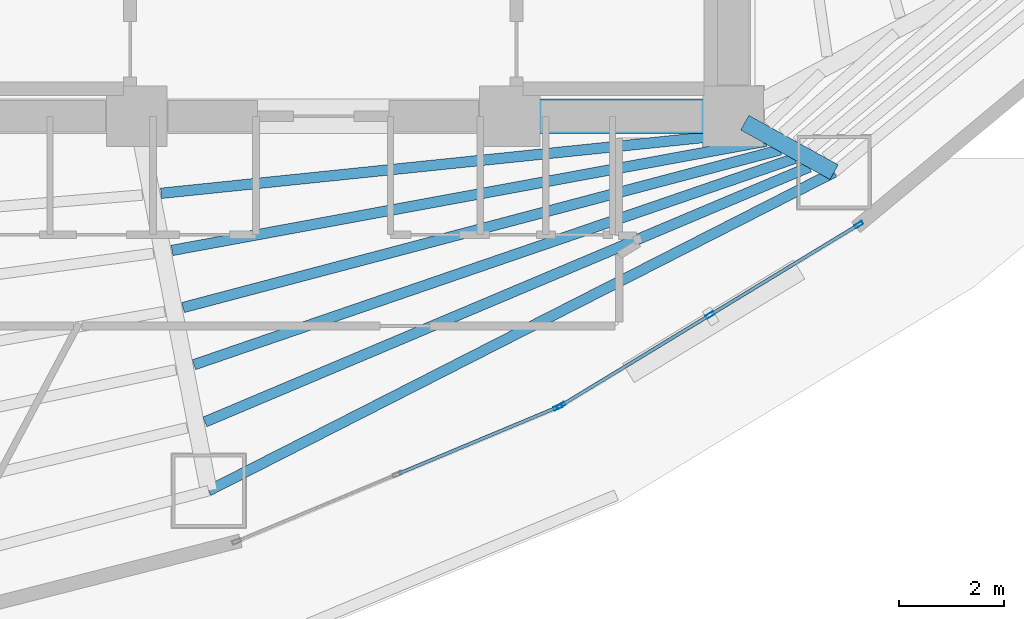
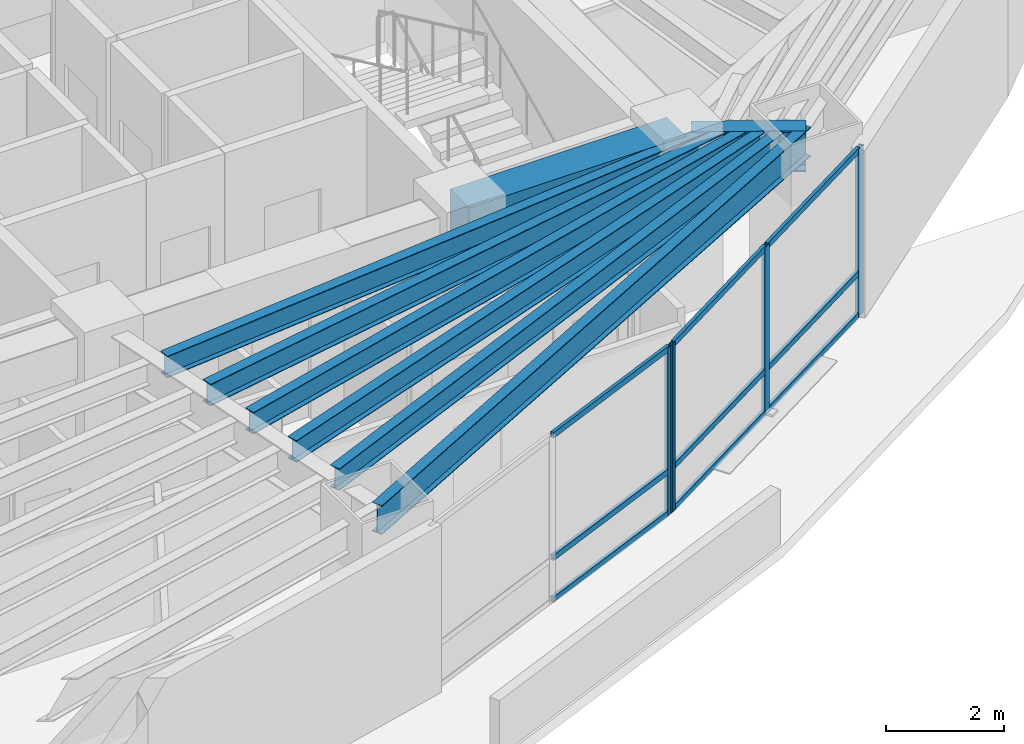
# One storey, part 5 of 17: 13 members, 8 beams, 2 elements without a shape of their own.
"""IFC4 building model written with IfcOpenShell, lengths in metres."""

import ifcopenshell
import ifcopenshell.guid

model = None  # the IFC model being written
_history = None  # IfcOwnerHistory: only IFC2X3 demands one
_inside = {}  # id of a spatial element -> (the spatial element, [elements in it])
_under = {}  # id of a project, library or spatial element -> (it, [spatial elements below it])
_declared = {}  # id of a project -> (the project, [libraries it declares])
_typed = {}  # id of a type object -> (the type object, [elements of that type])
_made_of = {}  # id of a material, layer set ... -> (it, [elements and type objects made of it])


def new_model(schema):
    """Start an empty IFC model of exactly this schema.

    Asked for "IFC4X3", IfcOpenShell would pick the latest addendum, in which some entities
    have other attributes; the version numbers below select the first issue.
    IFC2X3 requires an IfcOwnerHistory on every rooted entity: one is made here for all.
    """
    global model, _history
    if schema == "IFC4X3":
        model = ifcopenshell.file(schema_version=(4, 3, 0, 0))
    else:
        model = ifcopenshell.file(schema=schema)
    _inside.clear()
    _under.clear()
    _declared.clear()
    _typed.clear()
    _made_of.clear()
    _history = None
    if model.schema == "IFC2X3":
        org = make("IfcOrganization", Name="unknown")
        user = make(
            "IfcPersonAndOrganization",
            ThePerson=make("IfcPerson", FamilyName="unknown"),
            TheOrganization=org,
        )
        app = make(
            "IfcApplication",
            ApplicationDeveloper=org,
            Version="unknown",
            ApplicationFullName="unknown",
            ApplicationIdentifier="unknown",
        )
        _history = make(
            "IfcOwnerHistory",
            OwningUser=user,
            OwningApplication=app,
            ChangeAction="ADDED",
            CreationDate=0,
        )
    return model


def make(cls, **values):
    """One entity of the class cls with the attributes given. An attribute that is None is left unset."""
    return model.create_entity(
        cls, **{name: value for name, value in values.items() if value is not None}
    )


def rooted(cls, **values):
    """An entity with a GlobalId (a new one), such as an element, a storey or a relation."""
    return make(cls, GlobalId=ifcopenshell.guid.new(), OwnerHistory=_history, **values)


def si_unit(unit_type, name, prefix=None):
    """IfcSIUnit, for example si_unit("LENGTHUNIT", "METRE", prefix="MILLI")."""
    return make("IfcSIUnit", UnitType=unit_type, Prefix=prefix, Name=name)


def assignment(units):
    """IfcUnitAssignment: the units of a project."""
    return None if units is None else make("IfcUnitAssignment", Units=units)


def point(xyz):
    """IfcCartesianPoint."""
    return None if xyz is None else make("IfcCartesianPoint", Coordinates=xyz)


def direction(xyz):
    """IfcDirection."""
    return None if xyz is None else make("IfcDirection", DirectionRatios=xyz)


def frame(location, z_axis=None, x_axis=None):
    """IfcAxis2Placement3D, a coordinate frame: its origin and axes. An axis left out is left unset."""
    return make(
        "IfcAxis2Placement3D",
        Location=point(location),
        Axis=direction(z_axis),
        RefDirection=direction(x_axis),
    )


def frame_2d(location, x_axis=None):
    """IfcAxis2Placement2D, a coordinate frame in the plane: its origin and x axis."""
    return make(
        "IfcAxis2Placement2D", Location=point(location), RefDirection=direction(x_axis)
    )


def origin():
    """The frame at (0, 0, 0) with its axes left unset."""
    return frame((0.0, 0.0, 0.0))


def origin_2d():
    """The frame at (0, 0) in the plane with its x axis left unset."""
    return frame_2d((0.0, 0.0))


def place(relative_to, where):
    """IfcLocalPlacement: puts the frame where relative to a parent placement (None: the world)."""
    return make(
        "IfcLocalPlacement", PlacementRelTo=relative_to, RelativePlacement=where
    )


def context(
    kind, dimensions, precision=None, world=None, true_north=None, identifier=None
):
    """IfcGeometricRepresentationContext, for example the 3D "Model" context."""
    return make(
        "IfcGeometricRepresentationContext",
        ContextIdentifier=identifier,
        ContextType=kind,
        CoordinateSpaceDimension=dimensions,
        Precision=precision,
        WorldCoordinateSystem=world,
        TrueNorth=true_north,
    )


def subcontext(parent, identifier, kind, view, scale=None):
    """IfcGeometricRepresentationSubContext, for example "Body" below "Model"."""
    return make(
        "IfcGeometricRepresentationSubContext",
        ContextIdentifier=identifier,
        ContextType=kind,
        ParentContext=parent,
        TargetScale=scale,
        TargetView=view,
    )


def project(units=None, contexts=None):
    """IfcProject with its units and contexts."""
    return rooted(
        "IfcProject",
        Name="project",
        RepresentationContexts=contexts,
        UnitsInContext=assignment(units),
    )


def spatial(cls, under=None, at=None, **own):
    """A site, building, storey or space (cls), placed at a placement, below another one or the project."""
    s = rooted(cls, ObjectPlacement=at, **own)
    if under is not None:
        _under.setdefault(under.id(), (under, []))[1].append(s)
    return s


def profile(cls, at=None, kind="AREA", **sizes):
    """A parametric profile (cls). Its sizes go by their IFC names, for example OverallWidth=200.0."""
    return make(cls, ProfileType=kind, Position=at, **sizes)


def rectangle(**sizes):
    """IfcRectangleProfileDef."""
    return profile("IfcRectangleProfileDef", **sizes)


def hollow_rectangle(**sizes):
    """IfcRectangleHollowProfileDef."""
    return profile("IfcRectangleHollowProfileDef", **sizes)


def i_section(**sizes):
    """IfcIShapeProfileDef."""
    return profile("IfcIShapeProfileDef", **sizes)


def extrude(swept, where, along, depth):
    """IfcExtrudedAreaSolid: the profile swept, set in the frame where, extruded along a direction by depth."""
    return make(
        "IfcExtrudedAreaSolid",
        SweptArea=swept,
        Position=where,
        ExtrudedDirection=direction(along),
        Depth=depth,
    )


def shape(context_of_items, identifier, shape_type, items):
    """IfcShapeRepresentation: the items that make up one representation, for example the "Body"."""
    return make(
        "IfcShapeRepresentation",
        ContextOfItems=context_of_items,
        RepresentationIdentifier=identifier,
        RepresentationType=shape_type,
        Items=items,
    )


def material(Name=None, Category=None):
    """IfcMaterial."""
    return make("IfcMaterial", Name=Name, Category=Category)


def layer(
    of_material, thickness, ventilated=None, Name=None, Category=None, Priority=None
):
    """IfcMaterialLayer: one layer of a wall or slab, of a material (None: an air gap)."""
    return make(
        "IfcMaterialLayer",
        Material=of_material,
        LayerThickness=thickness,
        IsVentilated=ventilated,
        Name=Name,
        Category=Category,
        Priority=Priority,
    )


def layer_set(layers, Name=None):
    """IfcMaterialLayerSet."""
    return make("IfcMaterialLayerSet", MaterialLayers=layers, LayerSetName=Name)


def material_profile(
    of_material, cross_section, Name=None, Category=None, Priority=None
):
    """IfcMaterialProfile: a cross section and its material."""
    return make(
        "IfcMaterialProfile",
        Name=Name,
        Material=of_material,
        Profile=cross_section,
        Priority=Priority,
        Category=Category,
    )


def profile_set(profiles, Name=None, composite=None):
    """IfcMaterialProfileSet."""
    return make(
        "IfcMaterialProfileSet",
        Name=Name,
        MaterialProfiles=profiles,
        CompositeProfile=composite,
    )


def made_of(thing, what):
    """Note that an element or type object is made of a material, layer set ...; save() writes the relation."""
    if what is not None:
        _made_of.setdefault(what.id(), (what, []))[1].append(thing)
    return thing


def type_object(cls, material=None, **own):
    """A type object (cls), such as IfcWallType, which elements share."""
    return made_of(rooted(cls, **own), material)


def element(
    cls,
    number,
    at=None,
    inside=None,
    cuts=None,
    type_object=None,
    material=None,
    context=None,
    identifier="Body",
    shape_type=None,
    held_by="IfcProductDefinitionShape",
    body=None,
    shapes=None,
    **own,
):
    """One element of the class cls, such as IfcWall. Its Tag is "e" and its number.

    at: its placement. inside: the storey or other place that contains it. cuts: it is an
    opening in that element (IfcRelVoidsElement). A single representation is given by context,
    identifier, shape_type and body (its items); several are given by shapes. held_by: the class
    of the entity that holds the representations. save() writes the other relations.
    """
    e = rooted(cls, Tag="e%d" % number, ObjectPlacement=at, **own)
    if body is not None:
        shapes = [shape(context, identifier, shape_type, body)]
    if shapes is not None:
        e.Representation = make(held_by, Representations=shapes)
    if inside is not None:
        _inside.setdefault(inside.id(), (inside, []))[1].append(e)
    if cuts is not None:
        rooted(
            "IfcRelVoidsElement", RelatingBuildingElement=cuts, RelatedOpeningElement=e
        )
    if type_object is not None:
        _typed.setdefault(type_object.id(), (type_object, []))[1].append(e)
    return made_of(e, material)


def aggregate(whole, parts):
    """IfcRelAggregates: a whole, such as a stair, and the parts it consists of."""
    return rooted("IfcRelAggregates", RelatingObject=whole, RelatedObjects=parts)


def save(model, path):
    """Write the relations noted so far, then the file.

    IfcRelAggregates (storeys below a building ...), IfcRelContainedInSpatialStructure (elements
    in a storey), IfcRelDefinesByType, IfcRelAssociatesMaterial and IfcRelDeclares: one each for
    every whole, place, type object, material and project.
    """
    for whole, parts in _under.values():
        aggregate(whole, parts)
    for where, things in _inside.values():
        rooted(
            "IfcRelContainedInSpatialStructure",
            RelatedElements=things,
            RelatingStructure=where,
        )
    for kind, things in _typed.values():
        rooted("IfcRelDefinesByType", RelatedObjects=things, RelatingType=kind)
    for what, things in _made_of.values():
        rooted("IfcRelAssociatesMaterial", RelatedObjects=things, RelatingMaterial=what)
    for by, libraries in _declared.values():
        rooted("IfcRelDeclares", RelatingContext=by, RelatedDefinitions=libraries)
    model.write(path)


model = new_model("IFC4")

# Units and contexts
model_context = context("Model", 3, precision=1e-05, world=origin(), true_north=direction((0.0, 1.0)))
body_context = subcontext(model_context, "Body", "Model", "MODEL_VIEW")
ifc_project = project(units=[si_unit("LENGTHUNIT", "METRE"), si_unit("AREAUNIT", "SQUARE_METRE"), si_unit("VOLUMEUNIT", "CUBIC_METRE"), si_unit("PLANEANGLEUNIT", "RADIAN"), si_unit("MASSUNIT", "GRAM", prefix="KILO")], contexts=[model_context])

# Site, building, storey
site_placement = place(None, origin())
site = spatial("IfcSite", under=ifc_project, at=site_placement, CompositionType="ELEMENT")
building_placement = place(site_placement, origin())
building = spatial("IfcBuilding", under=site, at=building_placement, Name="Menara Vayukalpa", CompositionType="ELEMENT")
storey_placement = place(building_placement, frame((0.0, 0.0, 27.60009765625)))
storey = spatial("IfcBuildingStorey", under=building, at=storey_placement, Name="L05", CompositionType="ELEMENT", Elevation=27.60009765625)

# Beams
ifc_material_1 = material(Name="Concrete C60/75", Category="concrete")
ifc_material_profile_1 = material_profile(ifc_material_1, rectangle(XDim=0.64990234375, YDim=0.85009765625, at=origin_2d()), Name="RC 650x850")
ifc_profile_set_1 = profile_set([ifc_material_profile_1], Name="Concrete C60/75")
beam_type_1 = type_object("IfcBeamType", Name="BM-CB1", PredefinedType="BEAM", material=ifc_profile_set_1)
beam_1_placement = place(storey_placement, frame((29.14990234375, 17.199951171875, 3.044921875), z_axis=(1.0, 0.0, 0.0), x_axis=(0.0, 1.0, 0.0)))
element("IfcBeam", 1, at=beam_1_placement, inside=storey, type_object=beam_type_1, Name="L05 Core Tie Beam CBR3", PredefinedType="BEAM", context=body_context, shape_type="SweptSolid", body=[
    extrude(rectangle(XDim=0.64990234375, YDim=0.85009765625, at=origin_2d()), origin(), (0.0, 0.0, 1.0), 4.25),
])
ifc_material_2 = material(Name="Steel S355", Category="steel")
ifc_material_profile_2 = material_profile(ifc_material_2, i_section(OverallWidth=0.320068359375, OverallDepth=0.85009765625, WebThickness=0.01611328125, FlangeThickness=0.030029296875, at=origin_2d()), Name="WF 850x320x16x30")
ifc_profile_set_2 = profile_set([ifc_material_profile_2], Name="Steel S355")
beam_type_2 = type_object("IfcBeamType", Name="BM-PG2", PredefinedType="BEAM", material=ifc_profile_set_2)
beam_2_placement = place(storey_placement, frame((33.61865234375, 17.078857421875, 3.044921875), z_axis=(0.87459548214, -0.484853320727, 0.0), x_axis=(0.484853320727, 0.87459548214, 0.0)))
element("IfcBeam", 2, at=beam_2_placement, inside=storey, type_object=beam_type_2, Name="L05 Primary Radial Girder RG09", PredefinedType="BEAM", context=body_context, shape_type="SweptSolid", body=[
    extrude(i_section(OverallWidth=0.320068359375, OverallDepth=0.85009765625, WebThickness=0.01611328125, FlangeThickness=0.030029296875, at=origin_2d()), origin(), (0.0, 0.0, 1.0), 1.943115234375),
])
ifc_material_3 = material(Name="Steel S355", Category="steel")
ifc_material_profile_3 = material_profile(ifc_material_3, i_section(OverallWidth=0.199951171875, OverallDepth=0.449951171875, WebThickness=0.009033203125, FlangeThickness=0.013916015625, at=origin_2d()), Name="WF 450x200x9x14")
ifc_profile_set_3 = profile_set([ifc_material_profile_3], Name="Steel S355")
beam_type_3 = type_object("IfcBeamType", Name="BM-SJ1", PredefinedType="JOIST", material=ifc_profile_set_3)
beam_3_placement = place(storey_placement, frame((22.514404296875, 15.735107421875, 3.244873046875), z_axis=(0.994746828953, 0.102365747631, 0.0), x_axis=(-0.102365747631, 0.994746828953, 0.0)))
element("IfcBeam", 3, at=beam_3_placement, inside=storey, type_object=beam_type_3, Name="L05 Secondary Floor Joist SJ08-1", PredefinedType="JOIST", context=body_context, shape_type="SweptSolid", body=[
    extrude(i_section(OverallWidth=0.199951171875, OverallDepth=0.449951171875, WebThickness=0.009033203125, FlangeThickness=0.013916015625, at=origin_2d()), origin(), (0.0, 0.0, 1.0), 11.29052734375),
])
beam_4_placement = place(storey_placement, frame((22.723876953125, 14.648681640625, 3.244873046875), z_axis=(0.983504975359, 0.180881075419, 0.0), x_axis=(-0.180881075419, 0.983504975359, 0.0)))
element("IfcBeam", 4, at=beam_4_placement, inside=storey, type_object=beam_type_3, Name="L05 Secondary Floor Joist SJ08-2", PredefinedType="JOIST", context=body_context, shape_type="SweptSolid", body=[
    extrude(i_section(OverallWidth=0.199951171875, OverallDepth=0.449951171875, WebThickness=0.009033203125, FlangeThickness=0.013916015625, at=origin_2d()), origin(), (0.0, 0.0, 1.0), 11.48486328125),
])
beam_5_placement = place(storey_placement, frame((22.932373046875, 13.561767578125, 3.244873046875), z_axis=(0.966863757537, 0.255292918746, 0.0), x_axis=(-0.255292918746, 0.966863757537, 0.0)))
element("IfcBeam", 5, at=beam_5_placement, inside=storey, type_object=beam_type_3, Name="L05 Secondary Floor Joist SJ08-3", PredefinedType="JOIST", context=body_context, shape_type="SweptSolid", body=[
    extrude(i_section(OverallWidth=0.199951171875, OverallDepth=0.449951171875, WebThickness=0.009033203125, FlangeThickness=0.013916015625, at=origin_2d()), origin(), (0.0, 0.0, 1.0), 11.751220703125),
])
beam_6_placement = place(storey_placement, frame((23.14013671875, 12.473876953125, 3.244873046875), z_axis=(0.945794261669, 0.324766400038, 0.0), x_axis=(-0.324766400038, 0.945794261669, 0.0)))
element("IfcBeam", 6, at=beam_6_placement, inside=storey, type_object=beam_type_3, Name="L05 Secondary Floor Joist SJ08-4", PredefinedType="JOIST", context=body_context, shape_type="SweptSolid", body=[
    extrude(i_section(OverallWidth=0.199951171875, OverallDepth=0.449951171875, WebThickness=0.009033203125, FlangeThickness=0.013916015625, at=origin_2d()), origin(), (0.0, 0.0, 1.0), 12.0849609375),
])
beam_7_placement = place(storey_placement, frame((23.34716796875, 11.385009765625, 3.244873046875), z_axis=(0.921359344435, 0.38871192215, 0.0), x_axis=(-0.38871192215, 0.921359344435, 0.0)))
element("IfcBeam", 7, at=beam_7_placement, inside=storey, type_object=beam_type_3, Name="L05 Secondary Floor Joist SJ08-5", PredefinedType="JOIST", context=body_context, shape_type="SweptSolid", body=[
    extrude(i_section(OverallWidth=0.199951171875, OverallDepth=0.449951171875, WebThickness=0.009033203125, FlangeThickness=0.013916015625, at=origin_2d()), origin(), (0.0, 0.0, 1.0), 12.48046875),
])
ifc_material_4 = material(Name="Steel S355", Category="steel")
ifc_material_profile_4 = material_profile(ifc_material_4, i_section(OverallWidth=0.199951171875, OverallDepth=0.60009765625, WebThickness=0.010986328125, FlangeThickness=0.01708984375, at=origin_2d()), Name="WF 600x200x11x17")
ifc_profile_set_4 = profile_set([ifc_material_profile_4], Name="Steel S355")
beam_type_4 = type_object("IfcBeamType", Name="BM-SP1", PredefinedType="SPANDREL", material=ifc_profile_set_4)
beam_8_placement = place(storey_placement, frame((23.41943359375, 10.0771484375, 3.169921875), z_axis=(0.891100743313, 0.453805536841, 0.0), x_axis=(-0.453805536841, 0.891100743313, 0.0)))
element("IfcBeam", 8, at=beam_8_placement, inside=storey, type_object=beam_type_4, Name="L05 Perimeter Spandrel Beam SP08", PredefinedType="SPANDREL", context=body_context, shape_type="SweptSolid", body=[
    extrude(i_section(OverallWidth=0.199951171875, OverallDepth=0.60009765625, WebThickness=0.010986328125, FlangeThickness=0.01708984375, at=origin_2d()), origin(), (0.0, 0.0, 1.0), 13.352783203125),
])

# Curtain wall, member
ifc_material_5 = material(Name="Anodised Terracotta Aluminium Alloy 6063-T6", Category="masonry")
ifc_layer = layer(ifc_material_5, 0.1650390625)
ifc_layer_set = layer_set([ifc_layer], Name="Anodised Terracotta Aluminium Alloy 6063-T6")
curtain_wall_type = type_object("IfcCurtainWallType", Name="CW-CW2", PredefinedType="USERDEFINED", material=ifc_layer_set)
curtain_wall_1_placement = place(storey_placement, origin())
curtain_wall_1 = element("IfcCurtainWall", 9, at=curtain_wall_1_placement, inside=storey, type_object=curtain_wall_type, Name="L05 Low Rise Terracotta Ribbon Curtain Wall CW2 16", ObjectType="UNITISED", PredefinedType="USERDEFINED")
ifc_material_6 = material(Name="Anodised Terracotta Aluminium Alloy 6063-T6", Category="masonry")
ifc_material_profile_5 = material_profile(ifc_material_6, hollow_rectangle(XDim=0.070068359375, YDim=0.1650390625, WallThickness=0.00390625, at=origin_2d()), Name="ALU 70x165x4")
ifc_profile_set_5 = profile_set([ifc_material_profile_5], Name="Anodised Terracotta Aluminium Alloy 6063-T6")
member_type_1 = type_object("IfcMemberType", Name="CWM-CW2", PredefinedType="MULLION", material=ifc_profile_set_5)
member_1_placement = place(storey_placement, frame((30.062744140625, 11.6669921875, 0.0), z_axis=(0.0, 0.0, 1.0), x_axis=(-0.385895120445, 0.922542658101, 0.0)))
member_1 = element("IfcMember", 10, at=member_1_placement, type_object=member_type_1, Name="CW2 mullion 3", PredefinedType="MULLION", context=body_context, shape_type="SweptSolid", body=[
    extrude(hollow_rectangle(XDim=0.070068359375, YDim=0.1650390625, WallThickness=0.00390625, at=origin_2d()), origin(), (0.0, 0.0, 1.0), 3.469970703125),
])

# Curtain wall, members
curtain_wall_2_placement = place(storey_placement, origin())
curtain_wall_2 = element("IfcCurtainWall", 11, at=curtain_wall_2_placement, inside=storey, type_object=curtain_wall_type, Name="L05 Low Rise Terracotta Ribbon Curtain Wall CW2 17", ObjectType="UNITISED", PredefinedType="USERDEFINED")
member_2_placement = place(storey_placement, frame((30.125, 11.69873046875, 0.0), z_axis=(0.0, 0.0, 1.0), x_axis=(-0.519181964377, 0.854663727945, 0.0)))
member_2 = element("IfcMember", 12, at=member_2_placement, type_object=member_type_1, Name="CW2 mullion 1", PredefinedType="MULLION", context=body_context, shape_type="SweptSolid", body=[
    extrude(hollow_rectangle(XDim=0.070068359375, YDim=0.1650390625, WallThickness=0.00390625, at=origin_2d()), origin(), (0.0, 0.0, 1.0), 3.469970703125),
])
member_3_placement = place(storey_placement, frame((32.9560546875, 13.418701171875, 0.0), z_axis=(0.0, 0.0, 1.0), x_axis=(-0.519181964377, 0.854663727945, 0.0)))
member_3 = element("IfcMember", 13, at=member_3_placement, type_object=member_type_1, Name="CW2 mullion 2", PredefinedType="MULLION", context=body_context, shape_type="SweptSolid", body=[
    extrude(hollow_rectangle(XDim=0.070068359375, YDim=0.1650390625, WallThickness=0.00390625, at=origin_2d()), origin(), (0.0, 0.0, 1.0), 3.469970703125),
])
member_4_placement = place(storey_placement, frame((35.787353515625, 15.138427734375, 0.0), z_axis=(0.0, 0.0, 1.0), x_axis=(-0.519181964377, 0.854663727945, 0.0)))
member_4 = element("IfcMember", 14, at=member_4_placement, type_object=member_type_1, Name="CW2 mullion 3", PredefinedType="MULLION", context=body_context, shape_type="SweptSolid", body=[
    extrude(hollow_rectangle(XDim=0.070068359375, YDim=0.1650390625, WallThickness=0.00390625, at=origin_2d()), origin(), (0.0, 0.0, 1.0), 3.469970703125),
])

# Member
ifc_material_7 = material(Name="Anodised Terracotta Aluminium Alloy 6063-T6", Category="masonry")
ifc_material_profile_6 = material_profile(ifc_material_7, hollow_rectangle(XDim=0.06494140625, YDim=0.1201171875, WallThickness=0.00341796875, at=origin_2d()), Name="ALU 65x120x3.5")
ifc_profile_set_6 = profile_set([ifc_material_profile_6], Name="Anodised Terracotta Aluminium Alloy 6063-T6")
member_type_2 = type_object("IfcMemberType", Name="CWT-CW2", PredefinedType="USERDEFINED", material=ifc_profile_set_6)
member_5_placement = place(storey_placement, frame((27.0390625, 10.40234375, 0.032470703125), z_axis=(0.922552588381, 0.385871379699, 0.0), x_axis=(-0.385871379699, 0.922552588381, 0.0)))
member_5 = element("IfcMember", 15, at=member_5_placement, type_object=member_type_2, Name="CW2 transom 2.1", ObjectType="TRANSOM", PredefinedType="USERDEFINED", context=body_context, shape_type="SweptSolid", body=[
    extrude(hollow_rectangle(XDim=0.06494140625, YDim=0.1201171875, WallThickness=0.00341796875, at=origin_2d()), origin(), (0.0, 0.0, 1.0), 3.24267578125),
])

member_6_placement = place(storey_placement, frame((27.0390625, 10.40234375, 0.89990234375), z_axis=(0.922552588381, 0.385871379699, 0.0), x_axis=(-0.385871379699, 0.922552588381, 0.0)))
member_6 = element("IfcMember", 16, at=member_6_placement, type_object=member_type_2, Name="CW2 transom 2.2", ObjectType="TRANSOM", PredefinedType="USERDEFINED", context=body_context, shape_type="SweptSolid", body=[
    extrude(hollow_rectangle(XDim=0.06494140625, YDim=0.1201171875, WallThickness=0.00341796875, at=origin_2d()), origin(), (0.0, 0.0, 1.0), 3.24267578125),
])

member_7_placement = place(storey_placement, frame((27.0390625, 10.40234375, 3.4375), z_axis=(0.922552588381, 0.385871379699, 0.0), x_axis=(-0.385871379699, 0.922552588381, 0.0)))
member_7 = element("IfcMember", 17, at=member_7_placement, type_object=member_type_2, Name="CW2 transom 2.3", ObjectType="TRANSOM", PredefinedType="USERDEFINED", context=body_context, shape_type="SweptSolid", body=[
    extrude(hollow_rectangle(XDim=0.06494140625, YDim=0.1201171875, WallThickness=0.00341796875, at=origin_2d()), origin(), (0.0, 0.0, 1.0), 3.24267578125),
])

aggregate(curtain_wall_1, [member_1, member_5, member_6, member_7])

member_8_placement = place(storey_placement, frame((30.155029296875, 11.717041015625, 0.032470703125), z_axis=(0.854676552714, 0.519160851992, 0.0), x_axis=(-0.519160851992, 0.854676552714, 0.0)))
member_8 = element("IfcMember", 18, at=member_8_placement, type_object=member_type_2, Name="CW2 transom 1.1", ObjectType="TRANSOM", PredefinedType="USERDEFINED", context=body_context, shape_type="SweptSolid", body=[
    extrude(hollow_rectangle(XDim=0.06494140625, YDim=0.1201171875, WallThickness=0.00341796875, at=origin_2d()), origin(), (0.0, 0.0, 1.0), 3.242431640625),
])

member_9_placement = place(storey_placement, frame((30.155029296875, 11.717041015625, 0.89990234375), z_axis=(0.854676552714, 0.519160851992, 0.0), x_axis=(-0.519160851992, 0.854676552714, 0.0)))
member_9 = element("IfcMember", 19, at=member_9_placement, type_object=member_type_2, Name="CW2 transom 1.2", ObjectType="TRANSOM", PredefinedType="USERDEFINED", context=body_context, shape_type="SweptSolid", body=[
    extrude(hollow_rectangle(XDim=0.06494140625, YDim=0.1201171875, WallThickness=0.00341796875, at=origin_2d()), origin(), (0.0, 0.0, 1.0), 3.242431640625),
])

member_10_placement = place(storey_placement, frame((30.155029296875, 11.717041015625, 3.4375), z_axis=(0.854676552714, 0.519160851992, 0.0), x_axis=(-0.519160851992, 0.854676552714, 0.0)))
member_10 = element("IfcMember", 20, at=member_10_placement, type_object=member_type_2, Name="CW2 transom 1.3", ObjectType="TRANSOM", PredefinedType="USERDEFINED", context=body_context, shape_type="SweptSolid", body=[
    extrude(hollow_rectangle(XDim=0.06494140625, YDim=0.1201171875, WallThickness=0.00341796875, at=origin_2d()), origin(), (0.0, 0.0, 1.0), 3.242431640625),
])

member_11_placement = place(storey_placement, frame((32.986083984375, 13.436767578125, 0.032470703125), z_axis=(0.854643142641, 0.519215849851, 0.0), x_axis=(-0.519215849851, 0.854643142641, 0.0)))
member_11 = element("IfcMember", 21, at=member_11_placement, type_object=member_type_2, Name="CW2 transom 2.1", ObjectType="TRANSOM", PredefinedType="USERDEFINED", context=body_context, shape_type="SweptSolid", body=[
    extrude(hollow_rectangle(XDim=0.06494140625, YDim=0.1201171875, WallThickness=0.00341796875, at=origin_2d()), origin(), (0.0, 0.0, 1.0), 3.24267578125),
])

member_12_placement = place(storey_placement, frame((32.986083984375, 13.436767578125, 0.89990234375), z_axis=(0.854643142641, 0.519215849851, 0.0), x_axis=(-0.519215849851, 0.854643142641, 0.0)))
member_12 = element("IfcMember", 22, at=member_12_placement, type_object=member_type_2, Name="CW2 transom 2.2", ObjectType="TRANSOM", PredefinedType="USERDEFINED", context=body_context, shape_type="SweptSolid", body=[
    extrude(hollow_rectangle(XDim=0.06494140625, YDim=0.1201171875, WallThickness=0.00341796875, at=origin_2d()), origin(), (0.0, 0.0, 1.0), 3.24267578125),
])

member_13_placement = place(storey_placement, frame((32.986083984375, 13.436767578125, 3.4375), z_axis=(0.854643142641, 0.519215849851, 0.0), x_axis=(-0.519215849851, 0.854643142641, 0.0)))
member_13 = element("IfcMember", 23, at=member_13_placement, type_object=member_type_2, Name="CW2 transom 2.3", ObjectType="TRANSOM", PredefinedType="USERDEFINED", context=body_context, shape_type="SweptSolid", body=[
    extrude(hollow_rectangle(XDim=0.06494140625, YDim=0.1201171875, WallThickness=0.00341796875, at=origin_2d()), origin(), (0.0, 0.0, 1.0), 3.24267578125),
])

aggregate(curtain_wall_2, [member_2, member_3, member_4, member_8, member_9, member_10, member_11, member_12, member_13])

save(model, "model.ifc")
